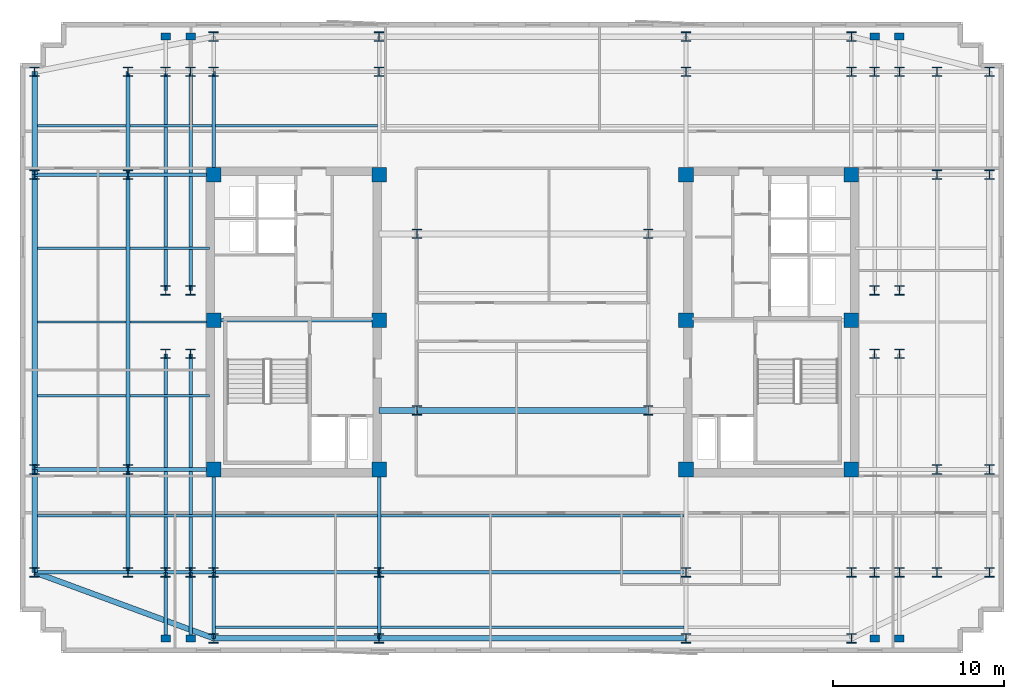
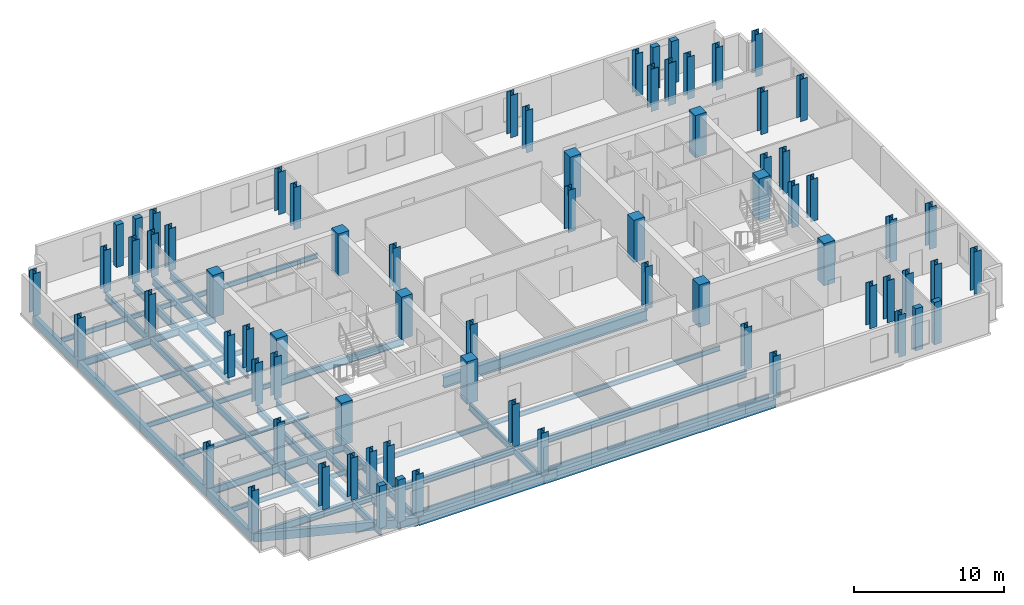
# One storey, part 1 of 9: 72 columns, 46 beams.
"""IFC4 building model written with IfcOpenShell, lengths in metres."""

from ifc_helpers import new_model, si_unit, direction, frame, origin, origin_2d, place, context, subcontext, project, spatial, rectangle, i_section, extrude, material, material_profile, profile_set, type_object, element, save


model = new_model("IFC4")

# Units and contexts
model_context = context("Model", 3, precision=1e-05, world=origin(), true_north=direction((0.0, 1.0)))
body_context = subcontext(model_context, "Body", "Model", "MODEL_VIEW")
ifc_project = project(units=[si_unit("LENGTHUNIT", "METRE"), si_unit("AREAUNIT", "SQUARE_METRE"), si_unit("VOLUMEUNIT", "CUBIC_METRE"), si_unit("PLANEANGLEUNIT", "RADIAN"), si_unit("MASSUNIT", "GRAM", prefix="KILO")], contexts=[model_context])

# Site, building, storey
site_placement = place(None, origin())
site = spatial("IfcSite", under=ifc_project, at=site_placement, CompositionType="ELEMENT")
building_placement = place(site_placement, origin())
building = spatial("IfcBuilding", under=site, at=building_placement, Name="Velakula Bourse", CompositionType="ELEMENT")
storey_placement = place(building_placement, frame((0.0, 0.0, 222.300048828125)))
storey = spatial("IfcBuildingStorey", under=building, at=storey_placement, Name="L60", CompositionType="ELEMENT", Elevation=222.300048828125)

# Columns
ifc_material_1 = material(Name="Concrete M50 (fck 50 MPa)", Category="concrete")
ifc_material_profile_1 = material_profile(ifc_material_1, rectangle(XDim=0.85009765625, YDim=0.85009765625, at=origin_2d()), Name="Concrete M50 (fck 50 MPa)")
ifc_profile_set_1 = profile_set([ifc_material_profile_1], Name="Concrete M50 (fck 50 MPa)")
column_type_1 = type_object("IfcColumnType", Name="COL-RC-850", PredefinedType="COLUMN", material=ifc_profile_set_1)
for number, where, z_axis, x_axis, name in (
    (1, (-8.949951171875, -8.60009765625, 0.0), (0.0, 0.0, 1.0), (1.0, 0.0, 0.0), "L60 Core Boundary Column 01"),
    (2, (-8.949951171875, 0.10009765625, 0.0), (0.0, 0.0, 1.0), (1.0, 0.0, 0.0), "L60 Core Boundary Column 02"),
    (3, (-8.949951171875, 8.60009765625, 0.0), (0.0, 0.0, 1.0), (1.0, 0.0, 0.0), "L60 Core Boundary Column 03"),
    (4, (-18.60009765625, -8.60009765625, 0.0), (0.0, 0.0, 1.0), (1.0, 0.0, 0.0), "L60 Core Boundary Column 04"),
    (5, (-18.60009765625, 0.10009765625, 0.0), (0.0, 0.0, 1.0), (1.0, 0.0, 0.0), "L60 Core Boundary Column 05"),
    (6, (-18.60009765625, 8.60009765625, 0.0), (0.0, 0.0, 1.0), (1.0, 0.0, 0.0), "L60 Core Boundary Column 06"),
    (7, (8.949951171875, -8.60009765625, 0.0), (0.0, 0.0, 1.0), (1.0, 0.0, 0.0), "L60 Core Boundary Column 07"),
    (8, (8.949951171875, 0.10009765625, 0.0), (0.0, 0.0, 1.0), (1.0, 0.0, 0.0), "L60 Core Boundary Column 08"),
    (9, (8.949951171875, 8.60009765625, 0.0), (0.0, 0.0, 1.0), (1.0, 0.0, 0.0), "L60 Core Boundary Column 09"),
    (10, (18.60009765625, -8.60009765625, 0.0), (0.0, 0.0, 1.0), (1.0, 0.0, 0.0), "L60 Core Boundary Column 10"),
    (11, (18.60009765625, 0.10009765625, 0.0), (0.0, 0.0, 1.0), (1.0, 0.0, 0.0), "L60 Core Boundary Column 11"),
    (12, (18.60009765625, 8.60009765625, 0.0), (0.0, 0.0, 1.0), (1.0, 0.0, 0.0), "L60 Core Boundary Column 12"),
):
    element("IfcColumn", number, at=place(storey_placement, frame(where, z_axis=z_axis, x_axis=x_axis)), inside=storey, type_object=column_type_1, Name=name, PredefinedType="COLUMN", context=body_context, shape_type="SweptSolid", body=[
        extrude(rectangle(XDim=0.85009765625, YDim=0.85009765625, at=origin_2d()), origin(), (0.0, 0.0, 1.0), 3.449951171875),
    ])
ifc_material_2 = material(Name="Steel IS 2062 Grade 350 (E350)", Category="steel")
ifc_material_profile_2 = material_profile(ifc_material_2, i_section(OverallWidth=0.550048828125, OverallDepth=0.550048828125, WebThickness=0.02392578125, FlangeThickness=0.035888671875, at=origin_2d()), Name="Steel IS 2062 Grade 350 (E350)")
ifc_profile_set_2 = profile_set([ifc_material_profile_2], Name="Steel IS 2062 Grade 350 (E350)")
column_type_2 = type_object("IfcColumnType", Name="COL-STL-550", PredefinedType="COLUMN", material=ifc_profile_set_2)
for number, where, z_axis, x_axis, name in (
    (13, (-6.75, -5.14990234375, 0.0), (0.0, 0.0, 1.0), (1.0, 0.0, 0.0), "L60 Central Spine Column 01"),
    (14, (-6.75, 5.14990234375, 0.0), (0.0, 0.0, 1.0), (1.0, 0.0, 0.0), "L60 Central Spine Column 02"),
    (15, (6.75, -5.14990234375, 0.0), (0.0, 0.0, 1.0), (1.0, 0.0, 0.0), "L60 Central Spine Column 03"),
    (16, (6.75, 5.14990234375, 0.0), (0.0, 0.0, 1.0), (1.0, 0.0, 0.0), "L60 Central Spine Column 04"),
    (17, (-21.39990234375, -14.60009765625, 0.0), (0.0, 0.0, 1.0), (1.0, 0.0, 0.0), "L60 Tower Fulcrum Column 01"),
    (18, (-21.39990234375, 14.60009765625, 0.0), (0.0, 0.0, 1.0), (1.0, 0.0, 0.0), "L60 Tower Fulcrum Column 02"),
    (19, (-19.949951171875, -14.60009765625, 0.0), (0.0, 0.0, 1.0), (1.0, 0.0, 0.0), "L60 Tower Fulcrum Column 03"),
    (20, (-19.949951171875, 14.60009765625, 0.0), (0.0, 0.0, 1.0), (1.0, 0.0, 0.0), "L60 Tower Fulcrum Column 04"),
    (21, (-18.60009765625, -14.60009765625, 0.0), (0.0, 0.0, 1.0), (1.0, 0.0, 0.0), "L60 Tower Fulcrum Column 05"),
    (22, (-18.60009765625, 14.60009765625, 0.0), (0.0, 0.0, 1.0), (1.0, 0.0, 0.0), "L60 Tower Fulcrum Column 06"),
    (23, (-8.949951171875, -14.60009765625, 0.0), (0.0, 0.0, 1.0), (1.0, 0.0, 0.0), "L60 Tower Fulcrum Column 07"),
    (24, (-8.949951171875, 14.60009765625, 0.0), (0.0, 0.0, 1.0), (1.0, 0.0, 0.0), "L60 Tower Fulcrum Column 08"),
    (25, (8.949951171875, -14.60009765625, 0.0), (0.0, 0.0, 1.0), (1.0, 0.0, 0.0), "L60 Tower Fulcrum Column 09"),
    (26, (8.949951171875, 14.60009765625, 0.0), (0.0, 0.0, 1.0), (1.0, 0.0, 0.0), "L60 Tower Fulcrum Column 10"),
    (27, (18.60009765625, -14.60009765625, 0.0), (0.0, 0.0, 1.0), (1.0, 0.0, 0.0), "L60 Tower Fulcrum Column 11"),
    (28, (18.60009765625, 14.60009765625, 0.0), (0.0, 0.0, 1.0), (1.0, 0.0, 0.0), "L60 Tower Fulcrum Column 12"),
    (29, (19.949951171875, -14.60009765625, 0.0), (0.0, 0.0, 1.0), (1.0, 0.0, 0.0), "L60 Tower Fulcrum Column 13"),
    (30, (19.949951171875, 14.60009765625, 0.0), (0.0, 0.0, 1.0), (1.0, 0.0, 0.0), "L60 Tower Fulcrum Column 14"),
    (31, (21.39990234375, -14.60009765625, 0.0), (0.0, 0.0, 1.0), (1.0, 0.0, 0.0), "L60 Tower Fulcrum Column 15"),
    (32, (21.39990234375, 14.60009765625, 0.0), (0.0, 0.0, 1.0), (1.0, 0.0, 0.0), "L60 Tower Fulcrum Column 16"),
    (33, (-21.39990234375, -1.85009765625, 0.0), (0.0, 0.0, 1.0), (1.0, 0.0, 0.0), "L60 Tower Fulcrum Column 17"),
    (34, (-21.39990234375, 1.85009765625, 0.0), (0.0, 0.0, 1.0), (1.0, 0.0, 0.0), "L60 Tower Fulcrum Column 18"),
    (35, (-19.949951171875, -1.85009765625, 0.0), (0.0, 0.0, 1.0), (1.0, 0.0, 0.0), "L60 Tower Fulcrum Column 19"),
    (36, (-19.949951171875, 1.85009765625, 0.0), (0.0, 0.0, 1.0), (1.0, 0.0, 0.0), "L60 Tower Fulcrum Column 20"),
    (37, (19.949951171875, -1.85009765625, 0.0), (0.0, 0.0, 1.0), (1.0, 0.0, 0.0), "L60 Tower Fulcrum Column 21"),
    (38, (19.949951171875, 1.85009765625, 0.0), (0.0, 0.0, 1.0), (1.0, 0.0, 0.0), "L60 Tower Fulcrum Column 22"),
    (39, (21.39990234375, -1.85009765625, 0.0), (0.0, 0.0, 1.0), (1.0, 0.0, 0.0), "L60 Tower Fulcrum Column 23"),
    (40, (21.39990234375, 1.85009765625, 0.0), (0.0, 0.0, 1.0), (1.0, 0.0, 0.0), "L60 Tower Fulcrum Column 24"),
    (41, (-23.60009765625, -14.60009765625, 0.0), (0.0, 0.0, 1.0), (1.0, 0.0, 0.0), "L60 Mid-Wing Plumb Column 01"),
    (42, (-23.60009765625, -8.60009765625, 0.0), (0.0, 0.0, 1.0), (1.0, 0.0, 0.0), "L60 Mid-Wing Plumb Column 02"),
    (43, (-23.60009765625, 8.60009765625, 0.0), (0.0, 0.0, 1.0), (1.0, 0.0, 0.0), "L60 Mid-Wing Plumb Column 03"),
    (44, (-23.60009765625, 14.60009765625, 0.0), (0.0, 0.0, 1.0), (1.0, 0.0, 0.0), "L60 Mid-Wing Plumb Column 04"),
    (45, (23.60009765625, -14.60009765625, 0.0), (0.0, 0.0, 1.0), (1.0, 0.0, 0.0), "L60 Mid-Wing Plumb Column 05"),
    (46, (23.60009765625, -8.60009765625, 0.0), (0.0, 0.0, 1.0), (1.0, 0.0, 0.0), "L60 Mid-Wing Plumb Column 06"),
    (47, (23.60009765625, 8.60009765625, 0.0), (0.0, 0.0, 1.0), (1.0, 0.0, 0.0), "L60 Mid-Wing Plumb Column 07"),
    (48, (23.60009765625, 14.60009765625, 0.0), (0.0, 0.0, 1.0), (1.0, 0.0, 0.0), "L60 Mid-Wing Plumb Column 08"),
    (49, (-18.60009765625, -18.449951171875, 0.0), (0.0, 0.0, 1.0), (1.0, 0.0, 0.0), "L60 Block B5 Perimeter Column S1"),
    (50, (-8.949951171875, -18.449951171875, 0.0), (0.0, 0.0, 1.0), (1.0, 0.0, 0.0), "L60 Block B5 Perimeter Column S2"),
    (51, (8.949951171875, -18.449951171875, 0.0), (0.0, 0.0, 1.0), (1.0, 0.0, 0.0), "L60 Block B5 Perimeter Column S3"),
    (52, (18.60009765625, -18.449951171875, 0.0), (0.0, 0.0, 1.0), (1.0, 0.0, 0.0), "L60 Block B5 Perimeter Column S4"),
    (53, (-18.60009765625, 16.64990234375, 0.0), (0.0, 0.0, 1.0), (1.0, 0.0, 0.0), "L60 Block B5 Perimeter Column N1"),
    (54, (-8.949951171875, 16.64990234375, 0.0), (0.0, 0.0, 1.0), (1.0, 0.0, 0.0), "L60 Block B5 Perimeter Column N2"),
    (55, (8.949951171875, 16.64990234375, 0.0), (0.0, 0.0, 1.0), (1.0, 0.0, 0.0), "L60 Block B5 Perimeter Column N3"),
    (56, (18.60009765625, 16.64990234375, 0.0), (0.0, 0.0, 1.0), (1.0, 0.0, 0.0), "L60 Block B5 Perimeter Column N4"),
    (57, (-29.050048828125, -14.60009765625, 0.0), (0.0, 0.0, 1.0), (1.0, 0.0, 0.0), "L60 Block B5 Perimeter Column W1"),
    (58, (-29.050048828125, -8.60009765625, 0.0), (0.0, 0.0, 1.0), (1.0, 0.0, 0.0), "L60 Block B5 Perimeter Column W2"),
    (59, (-29.050048828125, 8.60009765625, 0.0), (0.0, 0.0, 1.0), (1.0, 0.0, 0.0), "L60 Block B5 Perimeter Column W3"),
    (60, (-29.050048828125, 14.60009765625, 0.0), (0.0, 0.0, 1.0), (1.0, 0.0, 0.0), "L60 Block B5 Perimeter Column W4"),
    (61, (26.64990234375, -14.60009765625, 0.0), (0.0, 0.0, 1.0), (1.0, 0.0, 0.0), "L60 Block B5 Perimeter Column E1"),
    (62, (26.64990234375, -8.60009765625, 0.0), (0.0, 0.0, 1.0), (1.0, 0.0, 0.0), "L60 Block B5 Perimeter Column E2"),
    (63, (26.64990234375, 8.60009765625, 0.0), (0.0, 0.0, 1.0), (1.0, 0.0, 0.0), "L60 Block B5 Perimeter Column E3"),
    (64, (26.64990234375, 14.60009765625, 0.0), (0.0, 0.0, 1.0), (1.0, 0.0, 0.0), "L60 Block B5 Perimeter Column E4"),
):
    element("IfcColumn", number, at=place(storey_placement, frame(where, z_axis=z_axis, x_axis=x_axis)), inside=storey, type_object=column_type_2, Name=name, PredefinedType="COLUMN", context=body_context, shape_type="SweptSolid", body=[
        extrude(i_section(OverallWidth=0.550048828125, OverallDepth=0.550048828125, WebThickness=0.02392578125, FlangeThickness=0.035888671875, at=origin_2d()), origin(), (0.0, 0.0, 1.0), 3.449951171875),
    ])
ifc_material_3 = material(Name="Precast concrete M45 (fck 45 MPa)", Category="concrete")
ifc_material_profile_3 = material_profile(ifc_material_3, rectangle(XDim=0.550048828125, YDim=0.39990234375, at=origin_2d()), Name="Precast concrete M45 (fck 45 MPa)")
ifc_profile_set_3 = profile_set([ifc_material_profile_3], Name="Precast concrete M45 (fck 45 MPa)")
column_type_3 = type_object("IfcColumnType", Name="PIL-BRICK-550", PredefinedType="PILASTER", material=ifc_profile_set_3)
for number, where, z_axis, x_axis, name in (
    (65, (-21.39990234375, -18.449951171875, 0.0), (0.0, 0.0, 1.0), (1.0, 0.0, 0.0), "L60 Brick Pier Pilaster 01"),
    (66, (-19.949951171875, -18.449951171875, 0.0), (0.0, 0.0, 1.0), (1.0, 0.0, 0.0), "L60 Brick Pier Pilaster 02"),
    (67, (19.949951171875, -18.449951171875, 0.0), (0.0, 0.0, 1.0), (1.0, 0.0, 0.0), "L60 Brick Pier Pilaster 03"),
    (68, (21.39990234375, -18.449951171875, 0.0), (0.0, 0.0, 1.0), (1.0, 0.0, 0.0), "L60 Brick Pier Pilaster 04"),
    (69, (-21.39990234375, 16.64990234375, 0.0), (0.0, 0.0, 1.0), (1.0, 0.0, 0.0), "L60 Brick Pier Pilaster 05"),
    (70, (-19.949951171875, 16.64990234375, 0.0), (0.0, 0.0, 1.0), (1.0, 0.0, 0.0), "L60 Brick Pier Pilaster 06"),
    (71, (19.949951171875, 16.64990234375, 0.0), (0.0, 0.0, 1.0), (1.0, 0.0, 0.0), "L60 Brick Pier Pilaster 07"),
    (72, (21.39990234375, 16.64990234375, 0.0), (0.0, 0.0, 1.0), (1.0, 0.0, 0.0), "L60 Brick Pier Pilaster 08"),
):
    element("IfcColumn", number, at=place(storey_placement, frame(where, z_axis=z_axis, x_axis=x_axis)), inside=storey, type_object=column_type_3, Name=name, PredefinedType="PILASTER", context=body_context, shape_type="SweptSolid", body=[
        extrude(rectangle(XDim=0.550048828125, YDim=0.39990234375, at=origin_2d()), origin(), (0.0, 0.0, 1.0), 3.449951171875),
    ])

# Beams
ifc_material_profile_4 = material_profile(ifc_material_2, i_section(OverallWidth=0.2099609375, OverallDepth=0.60009765625, WebThickness=0.011962890625, FlangeThickness=0.020751953125, at=origin_2d()), Name="Steel IS 2062 Grade 350 (E350)")
ifc_profile_set_4 = profile_set([ifc_material_profile_4], Name="Steel IS 2062 Grade 350 (E350)")
beam_type_1 = type_object("IfcBeamType", Name="BM-GRD-600L", PredefinedType="BEAM", material=ifc_profile_set_4)
beam_1_placement = place(storey_placement, frame((-18.60009765625, 0.10009765625, -0.47998046875), z_axis=(1.0, 0.0, 0.0), x_axis=(0.0, 1.0, 0.0)))
element("IfcBeam", 73, at=beam_1_placement, inside=storey, type_object=beam_type_1, Name="L60 Primary Backbone Girder CRW-M", PredefinedType="BEAM", context=body_context, shape_type="SweptSolid", body=[
    extrude(i_section(OverallWidth=0.2099609375, OverallDepth=0.60009765625, WebThickness=0.011962890625, FlangeThickness=0.020751953125, at=origin_2d()), origin(), (0.0, 0.0, 1.0), 9.650146484375),
])
for number, where, z_axis, x_axis, name in (
    (74, (-18.60009765625, -14.60009765625, -0.47998046875), (0.0, 1.0, 0.0), (-1.0, 0.0, 0.0), "L60 Fulcrum Grid Girder FLC-WS"),
    (75, (-18.60009765625, 8.60009765625, -0.47998046875), (0.0, 1.0, 0.0), (-1.0, 0.0, 0.0), "L60 Fulcrum Grid Girder FLC-WN"),
    (76, (-8.949951171875, -14.60009765625, -0.47998046875), (0.0, 1.0, 0.0), (-1.0, 0.0, 0.0), "L60 Fulcrum Grid Girder FLC-WCS"),
):
    element("IfcBeam", number, at=place(storey_placement, frame(where, z_axis=z_axis, x_axis=x_axis)), inside=storey, type_object=beam_type_1, Name=name, PredefinedType="BEAM", context=body_context, shape_type="SweptSolid", body=[
        extrude(i_section(OverallWidth=0.2099609375, OverallDepth=0.60009765625, WebThickness=0.011962890625, FlangeThickness=0.020751953125, at=origin_2d()), origin(), (0.0, 0.0, 1.0), 6.0),
    ])
beam_2_placement = place(storey_placement, frame((-18.60009765625, -14.60009765625, -0.47998046875), z_axis=(1.0, 0.0, 0.0), x_axis=(0.0, 1.0, 0.0)))
element("IfcBeam", 77, at=beam_2_placement, inside=storey, type_object=beam_type_1, Name="L60 Fulcrum Grid Girder FLC-S1", PredefinedType="BEAM", context=body_context, shape_type="SweptSolid", body=[
    extrude(i_section(OverallWidth=0.2099609375, OverallDepth=0.60009765625, WebThickness=0.011962890625, FlangeThickness=0.020751953125, at=origin_2d()), origin(), (0.0, 0.0, 1.0), 9.650146484375),
])
beam_3_placement = place(storey_placement, frame((-8.949951171875, -14.60009765625, -0.47998046875), z_axis=(1.0, 0.0, 0.0), x_axis=(0.0, 1.0, 0.0)))
element("IfcBeam", 78, at=beam_3_placement, inside=storey, type_object=beam_type_1, Name="L60 Fulcrum Grid Girder FLC-S2", PredefinedType="BEAM", context=body_context, shape_type="SweptSolid", body=[
    extrude(i_section(OverallWidth=0.2099609375, OverallDepth=0.60009765625, WebThickness=0.011962890625, FlangeThickness=0.020751953125, at=origin_2d()), origin(), (0.0, 0.0, 1.0), 17.89990234375),
])
for number, where, z_axis, x_axis, name in (
    (79, (-21.39990234375, -14.60009765625, -0.47998046875), (0.0, 1.0, 0.0), (-1.0, 0.0, 0.0), "L60 Fulcrum Grid Girder FLC-PSW1"),
    (80, (-21.39990234375, 1.85009765625, -0.47998046875), (0.0, 1.0, 0.0), (-1.0, 0.0, 0.0), "L60 Fulcrum Grid Girder FLC-PNW1"),
    (81, (-19.949951171875, -14.60009765625, -0.47998046875), (0.0, 1.0, 0.0), (-1.0, 0.0, 0.0), "L60 Fulcrum Grid Girder FLC-PSW2"),
    (82, (-19.949951171875, 1.85009765625, -0.47998046875), (0.0, 1.0, 0.0), (-1.0, 0.0, 0.0), "L60 Fulcrum Grid Girder FLC-PNW2"),
):
    element("IfcBeam", number, at=place(storey_placement, frame(where, z_axis=z_axis, x_axis=x_axis)), inside=storey, type_object=beam_type_1, Name=name, PredefinedType="BEAM", context=body_context, shape_type="SweptSolid", body=[
        extrude(i_section(OverallWidth=0.2099609375, OverallDepth=0.60009765625, WebThickness=0.011962890625, FlangeThickness=0.020751953125, at=origin_2d()), origin(), (0.0, 0.0, 1.0), 12.75),
    ])
for number, where, z_axis, x_axis, name in (
    (83, (-23.60009765625, -14.60009765625, -0.47998046875), (1.0, 0.0, 0.0), (0.0, 1.0, 0.0), "L60 Fulcrum Grid Girder MWG-WS1"),
    (84, (-23.60009765625, -8.60009765625, -0.47998046875), (1.0, 0.0, 0.0), (0.0, 1.0, 0.0), "L60 Fulcrum Grid Girder MWG-WS2"),
    (85, (-23.60009765625, 8.60009765625, -0.47998046875), (1.0, 0.0, 0.0), (0.0, 1.0, 0.0), "L60 Fulcrum Grid Girder MWG-WN1"),
):
    element("IfcBeam", number, at=place(storey_placement, frame(where, z_axis=z_axis, x_axis=x_axis)), inside=storey, type_object=beam_type_1, Name=name, PredefinedType="BEAM", context=body_context, shape_type="SweptSolid", body=[
        extrude(i_section(OverallWidth=0.2099609375, OverallDepth=0.60009765625, WebThickness=0.011962890625, FlangeThickness=0.020751953125, at=origin_2d()), origin(), (0.0, 0.0, 1.0), 5.0),
    ])
beam_4_placement = place(storey_placement, frame((-23.60009765625, -14.60009765625, -0.47998046875), z_axis=(0.0, 1.0, 0.0), x_axis=(-1.0, 0.0, 0.0)))
element("IfcBeam", 86, at=beam_4_placement, inside=storey, type_object=beam_type_1, Name="L60 Fulcrum Grid Girder MWG-WNS1", PredefinedType="BEAM", context=body_context, shape_type="SweptSolid", body=[
    extrude(i_section(OverallWidth=0.2099609375, OverallDepth=0.60009765625, WebThickness=0.011962890625, FlangeThickness=0.020751953125, at=origin_2d()), origin(), (0.0, 0.0, 1.0), 6.0),
])
beam_5_placement = place(storey_placement, frame((-23.60009765625, -8.60009765625, -0.47998046875), z_axis=(0.0, 1.0, 0.0), x_axis=(-1.0, 0.0, 0.0)))
element("IfcBeam", 87, at=beam_5_placement, inside=storey, type_object=beam_type_1, Name="L60 Fulcrum Grid Girder MWG-WNS2", PredefinedType="BEAM", context=body_context, shape_type="SweptSolid", body=[
    extrude(i_section(OverallWidth=0.2099609375, OverallDepth=0.60009765625, WebThickness=0.011962890625, FlangeThickness=0.020751953125, at=origin_2d()), origin(), (0.0, 0.0, 1.0), 17.2001953125),
])
beam_6_placement = place(storey_placement, frame((-23.60009765625, 8.60009765625, -0.47998046875), z_axis=(0.0, 1.0, 0.0), x_axis=(-1.0, 0.0, 0.0)))
element("IfcBeam", 88, at=beam_6_placement, inside=storey, type_object=beam_type_1, Name="L60 Fulcrum Grid Girder MWG-WNS3", PredefinedType="BEAM", context=body_context, shape_type="SweptSolid", body=[
    extrude(i_section(OverallWidth=0.2099609375, OverallDepth=0.60009765625, WebThickness=0.011962890625, FlangeThickness=0.020751953125, at=origin_2d()), origin(), (0.0, 0.0, 1.0), 6.0),
])
for number, where, z_axis, x_axis, name in (
    (89, (-18.60009765625, -14.60009765625, -0.47998046875), (0.0, -1.0, 0.0), (1.0, 0.0, 0.0), "L60 Perimeter Tie Girder S1"),
    (90, (-8.949951171875, -14.60009765625, -0.47998046875), (0.0, -1.0, 0.0), (1.0, 0.0, 0.0), "L60 Perimeter Tie Girder S2"),
):
    element("IfcBeam", number, at=place(storey_placement, frame(where, z_axis=z_axis, x_axis=x_axis)), inside=storey, type_object=beam_type_1, Name=name, PredefinedType="BEAM", context=body_context, shape_type="SweptSolid", body=[
        extrude(i_section(OverallWidth=0.2099609375, OverallDepth=0.60009765625, WebThickness=0.011962890625, FlangeThickness=0.020751953125, at=origin_2d()), origin(), (0.0, 0.0, 1.0), 3.849853515625),
    ])
for number, where, z_axis, x_axis, name in (
    (91, (-23.60009765625, -14.60009765625, -0.47998046875), (-1.0, 0.0, 0.0), (0.0, -1.0, 0.0), "L60 Perimeter Tie Girder W1"),
    (92, (-23.60009765625, -8.60009765625, -0.47998046875), (-1.0, 0.0, 0.0), (0.0, -1.0, 0.0), "L60 Perimeter Tie Girder W2"),
    (93, (-23.60009765625, 8.60009765625, -0.47998046875), (-1.0, 0.0, 0.0), (0.0, -1.0, 0.0), "L60 Perimeter Tie Girder W3"),
):
    element("IfcBeam", number, at=place(storey_placement, frame(where, z_axis=z_axis, x_axis=x_axis)), inside=storey, type_object=beam_type_1, Name=name, PredefinedType="BEAM", context=body_context, shape_type="SweptSolid", body=[
        extrude(i_section(OverallWidth=0.2099609375, OverallDepth=0.60009765625, WebThickness=0.011962890625, FlangeThickness=0.020751953125, at=origin_2d()), origin(), (0.0, 0.0, 1.0), 5.449951171875),
    ])
for number, where, z_axis, x_axis, name in (
    (94, (-21.39990234375, -14.60009765625, -0.47998046875), (0.0, -1.0, 0.0), (1.0, 0.0, 0.0), "L60 Perimeter Tie Girder P01"),
    (95, (-19.949951171875, -14.60009765625, -0.47998046875), (0.0, -1.0, 0.0), (1.0, 0.0, 0.0), "L60 Perimeter Tie Girder P02"),
):
    element("IfcBeam", number, at=place(storey_placement, frame(where, z_axis=z_axis, x_axis=x_axis)), inside=storey, type_object=beam_type_1, Name=name, PredefinedType="BEAM", context=body_context, shape_type="SweptSolid", body=[
        extrude(i_section(OverallWidth=0.2099609375, OverallDepth=0.60009765625, WebThickness=0.011962890625, FlangeThickness=0.020751953125, at=origin_2d()), origin(), (0.0, 0.0, 1.0), 3.849853515625),
    ])
ifc_material_profile_5 = material_profile(ifc_material_2, i_section(OverallWidth=0.35009765625, OverallDepth=0.89990234375, WebThickness=0.02001953125, FlangeThickness=0.031982421875, at=origin_2d()), Name="Steel IS 2062 Grade 350 (E350)")
ifc_profile_set_5 = profile_set([ifc_material_profile_5], Name="Steel IS 2062 Grade 350 (E350)")
beam_type_2 = type_object("IfcBeamType", Name="BM-LNK-900", PredefinedType="BEAM", material=ifc_profile_set_5)
beam_7_placement = place(storey_placement, frame((-8.949951171875, -5.14990234375, -0.630126953125), z_axis=(1.0, 0.0, 0.0), x_axis=(0.0, 1.0, 0.0)))
element("IfcBeam", 96, at=beam_7_placement, inside=storey, type_object=beam_type_2, Name="L60 Primary Backbone Girder LNK-S1", PredefinedType="BEAM", context=body_context, shape_type="SweptSolid", body=[
    extrude(i_section(OverallWidth=0.35009765625, OverallDepth=0.89990234375, WebThickness=0.02001953125, FlangeThickness=0.031982421875, at=origin_2d()), origin(), (0.0, 0.0, 1.0), 2.199951171875),
])
beam_8_placement = place(storey_placement, frame((-6.75, -5.14990234375, -0.630126953125), z_axis=(1.0, 0.0, 0.0), x_axis=(0.0, 1.0, 0.0)))
element("IfcBeam", 97, at=beam_8_placement, inside=storey, type_object=beam_type_2, Name="L60 Primary Backbone Girder LNK-S2", PredefinedType="BEAM", context=body_context, shape_type="SweptSolid", body=[
    extrude(i_section(OverallWidth=0.35009765625, OverallDepth=0.89990234375, WebThickness=0.02001953125, FlangeThickness=0.031982421875, at=origin_2d()), origin(), (0.0, 0.0, 1.0), 13.5),
])
ifc_material_profile_6 = material_profile(ifc_material_2, i_section(OverallWidth=0.139892578125, OverallDepth=0.39990234375, WebThickness=0.0087890625, FlangeThickness=0.01611328125, at=origin_2d()), Name="Steel IS 2062 Grade 350 (E350)")
ifc_profile_set_6 = profile_set([ifc_material_profile_6], Name="Steel IS 2062 Grade 350 (E350)")
beam_type_3 = type_object("IfcBeamType", Name="JST-TWR-400", PredefinedType="JOIST", material=ifc_profile_set_6)
beam_9_placement = place(storey_placement, frame((-18.4951171875, -17.800048828125, -0.380126953125), z_axis=(1.0, 0.0, 0.0), x_axis=(0.0, 1.0, 0.0)))
element("IfcBeam", 98, at=beam_9_placement, inside=storey, type_object=beam_type_3, Name="L60 Trading Floor Composite Joist 01", PredefinedType="JOIST", context=body_context, shape_type="SweptSolid", body=[
    extrude(i_section(OverallWidth=0.139892578125, OverallDepth=0.39990234375, WebThickness=0.0087890625, FlangeThickness=0.01611328125, at=origin_2d()), origin(), (0.0, 0.0, 1.0), 9.440185546875),
])
beam_10_placement = place(storey_placement, frame((-8.844970703125, -17.800048828125, -0.380126953125), z_axis=(1.0, 0.0, 0.0), x_axis=(0.0, 1.0, 0.0)))
element("IfcBeam", 99, at=beam_10_placement, inside=storey, type_object=beam_type_3, Name="L60 Trading Floor Composite Joist 02", PredefinedType="JOIST", context=body_context, shape_type="SweptSolid", body=[
    extrude(i_section(OverallWidth=0.139892578125, OverallDepth=0.39990234375, WebThickness=0.0087890625, FlangeThickness=0.01611328125, at=origin_2d()), origin(), (0.0, 0.0, 1.0), 17.68994140625),
])
beam_11_placement = place(storey_placement, frame((-28.889892578125, -11.300048828125, -0.380126953125), z_axis=(1.0, 0.0, 0.0), x_axis=(0.0, 1.0, 0.0)))
element("IfcBeam", 100, at=beam_11_placement, inside=storey, type_object=beam_type_3, Name="L60 Trading Floor Composite Joist 04", PredefinedType="JOIST", context=body_context, shape_type="SweptSolid", body=[
    extrude(i_section(OverallWidth=0.139892578125, OverallDepth=0.39990234375, WebThickness=0.0087890625, FlangeThickness=0.01611328125, at=origin_2d()), origin(), (0.0, 0.0, 1.0), 5.184814453125),
])
beam_12_placement = place(storey_placement, frame((-23.4951171875, -11.300048828125, -0.380126953125), z_axis=(1.0, 0.0, 0.0), x_axis=(0.0, 1.0, 0.0)))
element("IfcBeam", 101, at=beam_12_placement, inside=storey, type_object=beam_type_3, Name="L60 Trading Floor Composite Joist 05", PredefinedType="JOIST", context=body_context, shape_type="SweptSolid", body=[
    extrude(i_section(OverallWidth=0.139892578125, OverallDepth=0.39990234375, WebThickness=0.0087890625, FlangeThickness=0.01611328125, at=origin_2d()), origin(), (0.0, 0.0, 1.0), 4.7900390625),
])
beam_13_placement = place(storey_placement, frame((-18.4951171875, -11.300048828125, -0.380126953125), z_axis=(1.0, 0.0, 0.0), x_axis=(0.0, 1.0, 0.0)))
element("IfcBeam", 102, at=beam_13_placement, inside=storey, type_object=beam_type_3, Name="L60 Trading Floor Composite Joist 06", PredefinedType="JOIST", context=body_context, shape_type="SweptSolid", body=[
    extrude(i_section(OverallWidth=0.139892578125, OverallDepth=0.39990234375, WebThickness=0.0087890625, FlangeThickness=0.01611328125, at=origin_2d()), origin(), (0.0, 0.0, 1.0), 9.440185546875),
])
beam_14_placement = place(storey_placement, frame((-8.844970703125, -11.300048828125, -0.380126953125), z_axis=(1.0, 0.0, 0.0), x_axis=(0.0, 1.0, 0.0)))
element("IfcBeam", 103, at=beam_14_placement, inside=storey, type_object=beam_type_3, Name="L60 Trading Floor Composite Joist 07", PredefinedType="JOIST", context=body_context, shape_type="SweptSolid", body=[
    extrude(i_section(OverallWidth=0.139892578125, OverallDepth=0.39990234375, WebThickness=0.0087890625, FlangeThickness=0.01611328125, at=origin_2d()), origin(), (0.0, 0.0, 1.0), 17.68994140625),
])
beam_15_placement = place(storey_placement, frame((-28.889892578125, 11.449951171875, -0.380126953125), z_axis=(1.0, 0.0, 0.0), x_axis=(0.0, 1.0, 0.0)))
element("IfcBeam", 104, at=beam_15_placement, inside=storey, type_object=beam_type_3, Name="L60 Trading Floor Composite Joist 11", PredefinedType="JOIST", context=body_context, shape_type="SweptSolid", body=[
    extrude(i_section(OverallWidth=0.139892578125, OverallDepth=0.39990234375, WebThickness=0.0087890625, FlangeThickness=0.01611328125, at=origin_2d()), origin(), (0.0, 0.0, 1.0), 5.184814453125),
])
beam_16_placement = place(storey_placement, frame((-23.4951171875, 11.449951171875, -0.380126953125), z_axis=(1.0, 0.0, 0.0), x_axis=(0.0, 1.0, 0.0)))
element("IfcBeam", 105, at=beam_16_placement, inside=storey, type_object=beam_type_3, Name="L60 Trading Floor Composite Joist 12", PredefinedType="JOIST", context=body_context, shape_type="SweptSolid", body=[
    extrude(i_section(OverallWidth=0.139892578125, OverallDepth=0.39990234375, WebThickness=0.0087890625, FlangeThickness=0.01611328125, at=origin_2d()), origin(), (0.0, 0.0, 1.0), 4.7900390625),
])
beam_17_placement = place(storey_placement, frame((-18.4951171875, 11.449951171875, -0.380126953125), z_axis=(1.0, 0.0, 0.0), x_axis=(0.0, 1.0, 0.0)))
element("IfcBeam", 106, at=beam_17_placement, inside=storey, type_object=beam_type_3, Name="L60 Trading Floor Composite Joist 13", PredefinedType="JOIST", context=body_context, shape_type="SweptSolid", body=[
    extrude(i_section(OverallWidth=0.139892578125, OverallDepth=0.39990234375, WebThickness=0.0087890625, FlangeThickness=0.01611328125, at=origin_2d()), origin(), (0.0, 0.0, 1.0), 9.440185546875),
])
beam_18_placement = place(storey_placement, frame((-28.889892578125, -4.300048828125, -0.380126953125), z_axis=(1.0, 0.0, 0.0), x_axis=(0.0, 1.0, 0.0)))
element("IfcBeam", 107, at=beam_18_placement, inside=storey, type_object=beam_type_3, Name="L60 Trading Floor Composite Joist 20", PredefinedType="JOIST", context=body_context, shape_type="SweptSolid", body=[
    extrude(i_section(OverallWidth=0.139892578125, OverallDepth=0.39990234375, WebThickness=0.0087890625, FlangeThickness=0.01611328125, at=origin_2d()), origin(), (0.0, 0.0, 1.0), 5.184814453125),
])
beam_19_placement = place(storey_placement, frame((-23.4951171875, -4.300048828125, -0.380126953125), z_axis=(1.0, 0.0, 0.0), x_axis=(0.0, 1.0, 0.0)))
element("IfcBeam", 108, at=beam_19_placement, inside=storey, type_object=beam_type_3, Name="L60 Trading Floor Composite Joist 21", PredefinedType="JOIST", context=body_context, shape_type="SweptSolid", body=[
    extrude(i_section(OverallWidth=0.139892578125, OverallDepth=0.39990234375, WebThickness=0.0087890625, FlangeThickness=0.01611328125, at=origin_2d()), origin(), (0.0, 0.0, 1.0), 4.64501953125),
])
beam_20_placement = place(storey_placement, frame((-28.889892578125, 0.0, -0.380126953125), z_axis=(1.0, 0.0, 0.0), x_axis=(0.0, 1.0, 0.0)))
element("IfcBeam", 109, at=beam_20_placement, inside=storey, type_object=beam_type_3, Name="L60 Trading Floor Composite Joist 24", PredefinedType="JOIST", context=body_context, shape_type="SweptSolid", body=[
    extrude(i_section(OverallWidth=0.139892578125, OverallDepth=0.39990234375, WebThickness=0.0087890625, FlangeThickness=0.01611328125, at=origin_2d()), origin(), (0.0, 0.0, 1.0), 5.184814453125),
])
beam_21_placement = place(storey_placement, frame((-23.4951171875, 0.0, -0.380126953125), z_axis=(1.0, 0.0, 0.0), x_axis=(0.0, 1.0, 0.0)))
element("IfcBeam", 110, at=beam_21_placement, inside=storey, type_object=beam_type_3, Name="L60 Trading Floor Composite Joist 25", PredefinedType="JOIST", context=body_context, shape_type="SweptSolid", body=[
    extrude(i_section(OverallWidth=0.139892578125, OverallDepth=0.39990234375, WebThickness=0.0087890625, FlangeThickness=0.01611328125, at=origin_2d()), origin(), (0.0, 0.0, 1.0), 4.64501953125),
])
beam_22_placement = place(storey_placement, frame((-28.889892578125, 4.300048828125, -0.380126953125), z_axis=(1.0, 0.0, 0.0), x_axis=(0.0, 1.0, 0.0)))
element("IfcBeam", 111, at=beam_22_placement, inside=storey, type_object=beam_type_3, Name="L60 Trading Floor Composite Joist 28", PredefinedType="JOIST", context=body_context, shape_type="SweptSolid", body=[
    extrude(i_section(OverallWidth=0.139892578125, OverallDepth=0.39990234375, WebThickness=0.0087890625, FlangeThickness=0.01611328125, at=origin_2d()), origin(), (0.0, 0.0, 1.0), 5.184814453125),
])
beam_23_placement = place(storey_placement, frame((-23.4951171875, 4.300048828125, -0.380126953125), z_axis=(1.0, 0.0, 0.0), x_axis=(0.0, 1.0, 0.0)))
element("IfcBeam", 112, at=beam_23_placement, inside=storey, type_object=beam_type_3, Name="L60 Trading Floor Composite Joist 29", PredefinedType="JOIST", context=body_context, shape_type="SweptSolid", body=[
    extrude(i_section(OverallWidth=0.139892578125, OverallDepth=0.39990234375, WebThickness=0.0087890625, FlangeThickness=0.01611328125, at=origin_2d()), origin(), (0.0, 0.0, 1.0), 4.64501953125),
])
ifc_material_profile_7 = material_profile(ifc_material_3, rectangle(XDim=0.320068359375, YDim=0.679931640625, at=origin_2d()), Name="Precast concrete M45 (fck 45 MPa)")
ifc_profile_set_7 = profile_set([ifc_material_profile_7], Name="Precast concrete M45 (fck 45 MPa)")
beam_type_4 = type_object("IfcBeamType", Name="SPN-BRICK-680", PredefinedType="SPANDREL", material=ifc_profile_set_7)
beam_24_placement = place(storey_placement, frame((-18.60009765625, -18.449951171875, -0.52001953125), z_axis=(1.0, 0.0, 0.0), x_axis=(0.0, 1.0, 0.0)))
element("IfcBeam", 113, at=beam_24_placement, inside=storey, type_object=beam_type_4, Name="L60 Brick-Faced Precast Spandrel S1-S2", PredefinedType="SPANDREL", context=body_context, shape_type="SweptSolid", body=[
    extrude(rectangle(XDim=0.320068359375, YDim=0.679931640625, at=origin_2d()), origin(), (0.0, 0.0, 1.0), 9.650146484375),
])
beam_25_placement = place(storey_placement, frame((-8.949951171875, -18.449951171875, -0.52001953125), z_axis=(1.0, 0.0, 0.0), x_axis=(0.0, 1.0, 0.0)))
element("IfcBeam", 114, at=beam_25_placement, inside=storey, type_object=beam_type_4, Name="L60 Brick-Faced Precast Spandrel S2-S3", PredefinedType="SPANDREL", context=body_context, shape_type="SweptSolid", body=[
    extrude(rectangle(XDim=0.320068359375, YDim=0.679931640625, at=origin_2d()), origin(), (0.0, 0.0, 1.0), 17.89990234375),
])
beam_26_placement = place(storey_placement, frame((-29.050048828125, -14.60009765625, -0.52001953125), z_axis=(0.0, 1.0, 0.0), x_axis=(-1.0, 0.0, 0.0)))
element("IfcBeam", 115, at=beam_26_placement, inside=storey, type_object=beam_type_4, Name="L60 Brick-Faced Precast Spandrel W1-W2", PredefinedType="SPANDREL", context=body_context, shape_type="SweptSolid", body=[
    extrude(rectangle(XDim=0.320068359375, YDim=0.679931640625, at=origin_2d()), origin(), (0.0, 0.0, 1.0), 6.0),
])
beam_27_placement = place(storey_placement, frame((-29.050048828125, -8.60009765625, -0.52001953125), z_axis=(0.0, 1.0, 0.0), x_axis=(-1.0, 0.0, 0.0)))
element("IfcBeam", 116, at=beam_27_placement, inside=storey, type_object=beam_type_4, Name="L60 Brick-Faced Precast Spandrel W2-W3", PredefinedType="SPANDREL", context=body_context, shape_type="SweptSolid", body=[
    extrude(rectangle(XDim=0.320068359375, YDim=0.679931640625, at=origin_2d()), origin(), (0.0, 0.0, 1.0), 17.2001953125),
])
beam_28_placement = place(storey_placement, frame((-29.050048828125, 8.60009765625, -0.52001953125), z_axis=(0.0, 1.0, 0.0), x_axis=(-1.0, 0.0, 0.0)))
element("IfcBeam", 117, at=beam_28_placement, inside=storey, type_object=beam_type_4, Name="L60 Brick-Faced Precast Spandrel W3-W4", PredefinedType="SPANDREL", context=body_context, shape_type="SweptSolid", body=[
    extrude(rectangle(XDim=0.320068359375, YDim=0.679931640625, at=origin_2d()), origin(), (0.0, 0.0, 1.0), 6.0),
])
beam_29_placement = place(storey_placement, frame((-29.050048828125, -14.60009765625, -0.52001953125), z_axis=(0.93834685962, -0.34569519962, 0.0), x_axis=(0.34569519962, 0.93834685962, 0.0)))
element("IfcBeam", 118, at=beam_29_placement, inside=storey, type_object=beam_type_4, Name="L60 Brick-Faced Precast Spandrel W1-S1", PredefinedType="SPANDREL", context=body_context, shape_type="SweptSolid", body=[
    extrude(rectangle(XDim=0.320068359375, YDim=0.679931640625, at=origin_2d()), origin(), (0.0, 0.0, 1.0), 11.136474609375),
])

save(model, "model.ifc")
